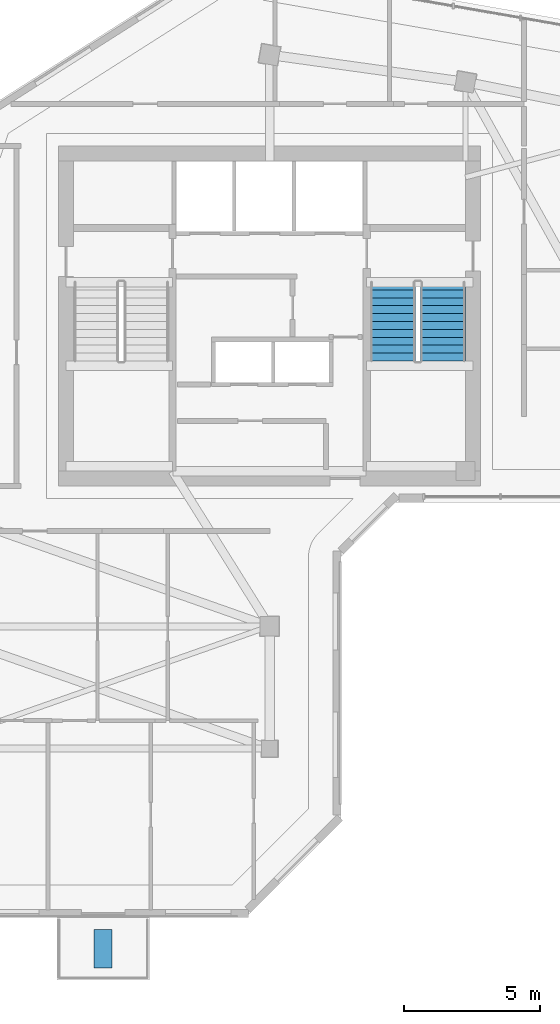
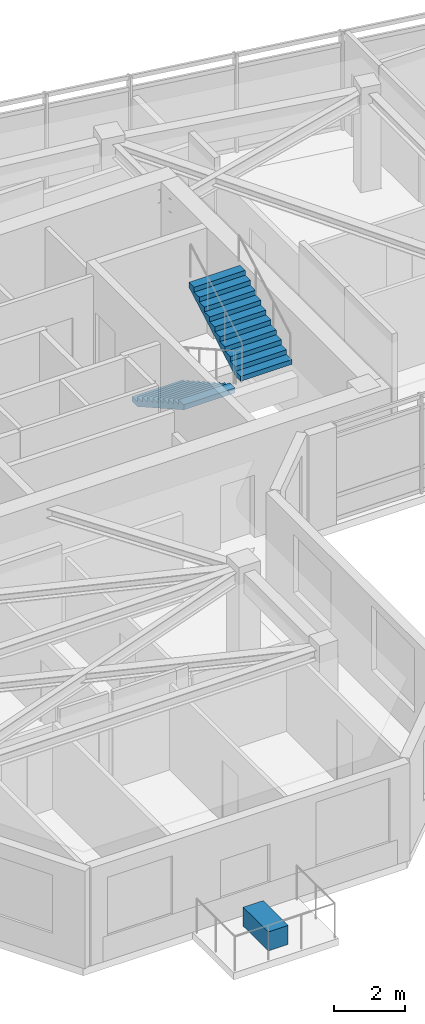
# One storey, part 7 of 10: 2 stair flights, 1 discrete accessory, 1 element without a shape of its own.
"""IFC4 building model written with IfcOpenShell, lengths in metres."""

from ifc_helpers import new_model, si_unit, direction, frame, origin, origin_2d, place, context, subcontext, project, spatial, polyline, rectangle, outline, extrude, source, transform, mapped, material, type_object, element, aggregate, save


model = new_model("IFC4")

# Units and contexts
model_context = context("Model", 3, precision=1e-05, world=origin(), true_north=direction((0.0, 1.0)))
body_context = subcontext(model_context, "Body", "Model", "MODEL_VIEW")
ifc_project = project(units=[si_unit("LENGTHUNIT", "METRE"), si_unit("AREAUNIT", "SQUARE_METRE"), si_unit("VOLUMEUNIT", "CUBIC_METRE"), si_unit("PLANEANGLEUNIT", "RADIAN"), si_unit("MASSUNIT", "GRAM", prefix="KILO")], contexts=[model_context])

# Site, building, storey
site_placement = place(None, origin())
site = spatial("IfcSite", under=ifc_project, at=site_placement, CompositionType="ELEMENT")
building_placement = place(site_placement, origin())
building = spatial("IfcBuilding", under=site, at=building_placement, Name="Calvemar Wedge Station Tower", CompositionType="ELEMENT")
storey_placement = place(building_placement, frame((0.0, 0.0, 252.89990234375)))
storey = spatial("IfcBuildingStorey", under=building, at=storey_placement, Name="L64", CompositionType="ELEMENT", Elevation=252.89990234375)

# Stair, stair flights
ifc_material_1 = material(Name="Concrete C45", Category="concrete")
stair_type = type_object("IfcStairType", Name="ST-TYPE-3600", PredefinedType="HALF_TURN_STAIR", material=ifc_material_1)
stair_placement = place(storey_placement, origin())
stair = element("IfcStair", 1, at=stair_placement, inside=storey, type_object=stair_type, Name="L64 Pressurized Core Exit Stair ST-C2", PredefinedType="HALF_TURN_STAIR")
stair_flight_type = type_object("IfcStairFlightType", Name="STF-TYPE-3600", PredefinedType="STRAIGHT", material=ifc_material_1)
stair_flight_1_placement = place(storey_placement, frame((28.330078125, 41.14990234375, 0.0), z_axis=(0.0, 0.0, 1.0), x_axis=(0.0, -1.0, 0.0)))
stair_flight_1 = element("IfcStairFlight", 2, at=stair_flight_1_placement, type_object=stair_flight_type, Name="ST-C2 flight 1", NumberOfRisers=11, NumberOfTreads=10, PredefinedType="STRAIGHT", RiserHeight=0.163636364, TreadLength=0.29, context=body_context, shape_type="SweptSolid", body=[
    extrude(outline(polyline([(0.0, 0.0), (0.0, 0.16357421875), (0.2900390625, 0.16357421875), (0.2900390625, 0.327392578125), (0.580078125, 0.327392578125), (0.580078125, 0.490966796875), (0.8701171875, 0.490966796875), (0.8701171875, 0.654541015625), (1.159912109375, 0.654541015625), (1.159912109375, 0.818115234375), (1.449951171875, 0.818115234375), (1.449951171875, 0.98193359375), (1.739990234375, 0.98193359375), (1.739990234375, 1.1455078125), (2.030029296875, 1.1455078125), (2.030029296875, 1.30908203125), (2.320068359375, 1.30908203125), (2.320068359375, 1.47265625), (2.610107421875, 1.47265625), (2.610107421875, 1.636474609375), (2.89990234375, 1.636474609375), (2.89990234375, 1.800048828125), (2.89990234375, 1.46435546875), (0.304931640625, 0.0), (0.0, 0.0)])), frame((0.0, 0.830078125, 0.0), z_axis=(0.0, -1.0, 0.0), x_axis=(1.0, 0.0, 0.0)), (0.0, 0.0, 1.0), 1.659912109375),
])
stair_flight_2_placement = place(storey_placement, frame((30.169921875, 38.25, 1.800048828125), z_axis=(0.0, 0.0, 1.0), x_axis=(0.0, 1.0, 0.0)))
stair_flight_2 = element("IfcStairFlight", 3, at=stair_flight_2_placement, type_object=stair_flight_type, Name="ST-C2 flight 2", NumberOfRisers=11, NumberOfTreads=10, PredefinedType="STRAIGHT", RiserHeight=0.163636364, TreadLength=0.29, context=body_context, shape_type="SweptSolid", body=[
    extrude(outline(polyline([(0.0, 0.0), (0.0, 0.16357421875), (0.2900390625, 0.16357421875), (0.2900390625, 0.327392578125), (0.580078125, 0.327392578125), (0.580078125, 0.490966796875), (0.8701171875, 0.490966796875), (0.8701171875, 0.654541015625), (1.159912109375, 0.654541015625), (1.159912109375, 0.818115234375), (1.449951171875, 0.818115234375), (1.449951171875, 0.98193359375), (1.739990234375, 0.98193359375), (1.739990234375, 1.1455078125), (2.030029296875, 1.1455078125), (2.030029296875, 1.30908203125), (2.320068359375, 1.30908203125), (2.320068359375, 1.47265625), (2.610107421875, 1.47265625), (2.610107421875, 1.636474609375), (2.89990234375, 1.636474609375), (2.89990234375, 1.800048828125), (2.89990234375, 1.46435546875), (0.304931640625, 0.0), (0.0, 0.0)])), frame((0.0, 0.830078125, 0.0), z_axis=(0.0, -1.0, 0.0), x_axis=(1.0, 0.0, 0.0)), (0.0, 0.0, 1.0), 1.659912109375),
])
aggregate(stair, [stair_flight_1, stair_flight_2])

# Discrete accessory
ifc_material_2 = material(Name="Precast concrete C45", Category="concrete")
discrete_accessory_type = type_object("IfcDiscreteAccessoryType", Name="ACC-PLANTER", PredefinedType="USERDEFINED", material=ifc_material_2)
shared_shape = source(origin(), body_context, "Body", "SweptSolid", [
    extrude(rectangle(XDim=0.64990234375, YDim=1.39990234375, at=origin_2d()), origin(), (0.0, 0.0, 1.0), 0.64990234375),
])
discrete_accessory_placement = place(storey_placement, frame((17.681884765625, 16.64990234375, 0.000244140625), z_axis=(0.0, 0.0, 1.0), x_axis=(1.0, 0.0, 0.0)))
element("IfcDiscreteAccessory", 4, at=discrete_accessory_placement, inside=storey, type_object=discrete_accessory_type, Name="Storey L64 Planted Terrace GFRC Planter", ObjectType="PLANTER", PredefinedType="USERDEFINED", context=body_context, shape_type="MappedRepresentation", body=[
    mapped(shared_shape, transform((0.0, 0.0, 0.0), scale=1.0)),
])

save(model, "model.ifc")
